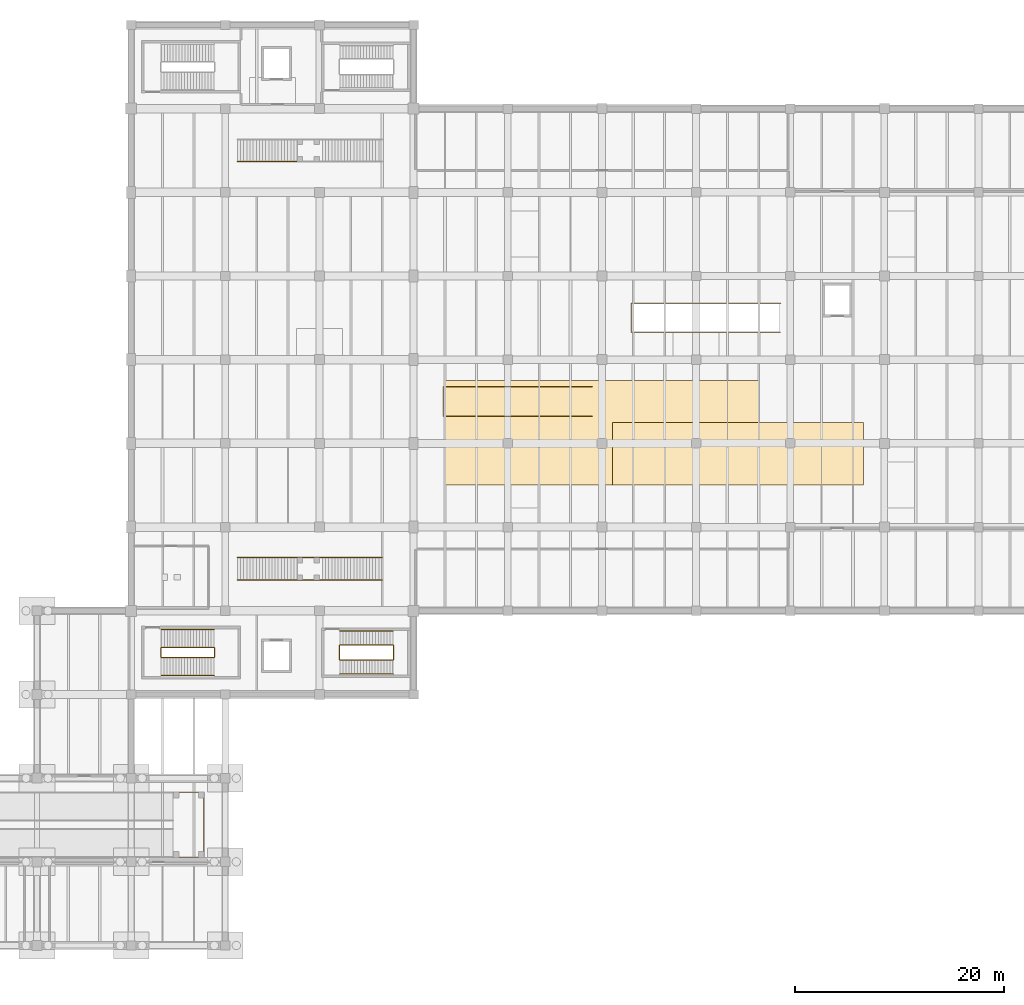
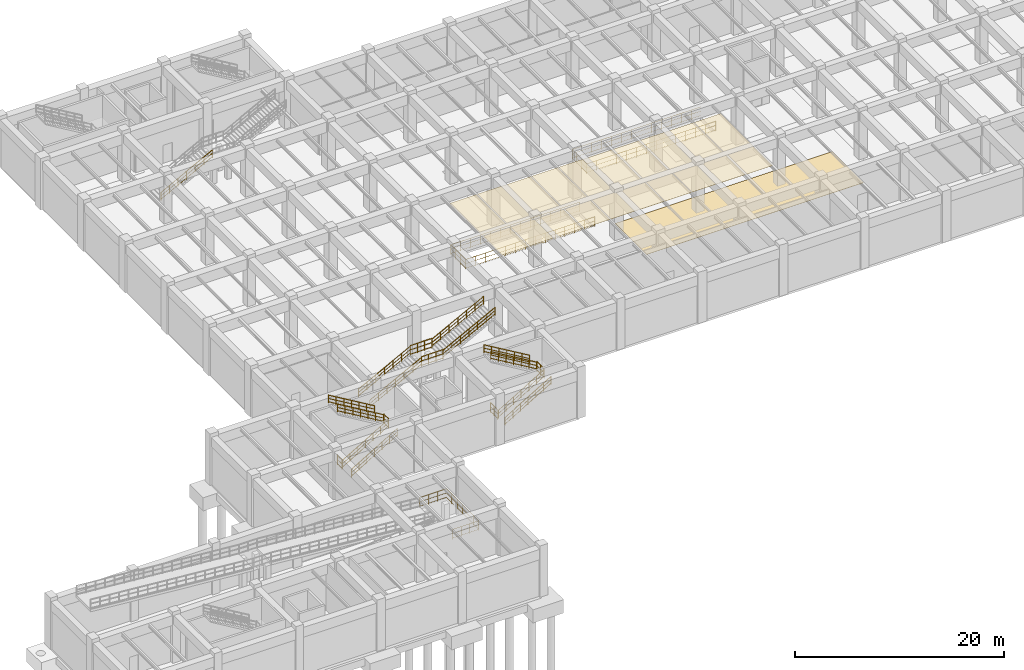
# One storey, part 16 of 20: 22 railings, 2 coverings.
"""IFC4 building model written with IfcOpenShell, lengths in metres."""

from ifc_helpers import new_model, si_unit, derived_unit, direction, frame, origin, origin_2d, place, context, subcontext, project, spatial, polyline, circle, outline, extrude, material, layer, layer_set, type_object, element, save


model = new_model("IFC4")

# Units and contexts
model_context = context("Model", 3, precision=1e-05, world=origin(), true_north=direction((0.0, 1.0)))
body_context = subcontext(model_context, "Body", "Model", "MODEL_VIEW")
ifc_project = project(units=[si_unit("LENGTHUNIT", "METRE"), si_unit("AREAUNIT", "SQUARE_METRE"), si_unit("VOLUMEUNIT", "CUBIC_METRE"), si_unit("PLANEANGLEUNIT", "RADIAN"), si_unit("MASSUNIT", "GRAM", prefix="KILO"), derived_unit("THERMALTRANSMITTANCEUNIT", [(si_unit("MASSUNIT", "GRAM", prefix="KILO"), 1), (si_unit("TIMEUNIT", "SECOND"), -3), (si_unit("THERMODYNAMICTEMPERATUREUNIT", "KELVIN"), -1)])], contexts=[model_context])

# Site, building, storey
site_placement = place(None, origin())
site = spatial("IfcSite", under=ifc_project, at=site_placement, CompositionType="ELEMENT")
building_placement = place(site_placement, origin())
building = spatial("IfcBuilding", under=site, at=building_placement, Name="Zhenchuan Archway Interchange", CompositionType="ELEMENT")
storey_placement = place(building_placement, frame((0.0, 0.0, -6.0)))
storey = spatial("IfcBuildingStorey", under=building, at=storey_placement, Name="B1", CompositionType="ELEMENT", Elevation=-6.0)

# Coverings
ifc_material_1 = material(Name="Anodised Aluminium", Category="aluminium")
ifc_layer_1 = layer(ifc_material_1, 0.02490234375)
ifc_layer_set_1 = layer_set([ifc_layer_1], Name="Anodised Aluminium")
covering_type_1 = type_object("IfcCoveringType", Name="COV_CLG_ACOUSTIC", PredefinedType="CEILING", material=ifc_layer_set_1)
covering_1_placement = place(storey_placement, frame((0.0, 0.0, 5.52490234375)))
element("IfcCovering", 1, at=covering_1_placement, inside=storey, type_object=covering_type_1, Name="Suspended acoustic ceiling grid 01 (B1)", PredefinedType="CEILING", context=body_context, shape_type="SweptSolid", body=[
    extrude(outline(polyline([(66.0, 44.0), (96.0, 44.0), (96.0, 54.0), (66.0, 54.0), (66.0, 44.0)])), origin(), (0.0, 0.0, 1.0), 0.025146484375),
])
ifc_material_2 = material(Name="Precast Terrazzo", Category="concrete")
ifc_layer_2 = layer(ifc_material_2, 0.02490234375)
ifc_layer_set_2 = layer_set([ifc_layer_2], Name="Precast Terrazzo")
covering_type_2 = type_object("IfcCoveringType", Name="COV_FLR_TERRAZZO", PredefinedType="FLOORING", material=ifc_layer_set_2)
covering_2_placement = place(storey_placement, origin())
element("IfcCovering", 2, at=covering_2_placement, inside=storey, type_object=covering_type_2, Name="Concourse floor finish panel 02 (B1)", PredefinedType="FLOORING", context=body_context, shape_type="SweptSolid", body=[
    extrude(outline(polyline([(82.0, 44.0), (106.0, 44.0), (106.0, 50.0), (82.0, 50.0), (82.0, 44.0)])), origin(), (0.0, 0.0, 1.0), 0.02490234375),
])

# Railings
ifc_material_3 = material(Name="Painted Galvanised Steel", Category="steel")
railing_type_1 = type_object("IfcRailingType", Name="RL_GUARD_1150", PredefinedType="GUARDRAIL", material=ifc_material_3)
for number, where, name in (
    (3, (43.97509765625, 27.56494140625, 3.0), "Stair ST-M1 half-landing slot guard (B1)"),
    (4, (38.8349609375, 27.56494140625, 0.0), "Stair ST-M1 floor well guard (B1)"),
):
    element("IfcRailing", number, at=place(storey_placement, frame(where)), inside=storey, type_object=railing_type_1, Name=name, PredefinedType="GUARDRAIL", context=body_context, shape_type="SweptSolid", body=[
        extrude(circle(Radius=0.02392578125, at=origin_2d()), frame((0.0, 0.0, 1.1259765625), z_axis=(0.0, 1.0, 0.0), x_axis=(-1.0, 0.0, 0.0)), (0.0, 0.0, 1.0), 0.8701171875),
        extrude(circle(Radius=0.01611328125, at=origin_2d()), frame((0.0, 0.0, 0.63232421875), z_axis=(0.0, 1.0, 0.0), x_axis=(-1.0, 0.0, 0.0)), (0.0, 0.0, 1.0), 0.8701171875),
        extrude(circle(Radius=0.01611328125, at=origin_2d()), frame((0.0, 0.0, 0.1201171875), z_axis=(0.0, 1.0, 0.0), x_axis=(-1.0, 0.0, 0.0)), (0.0, 0.0, 1.0), 0.8701171875),
        extrude(circle(Radius=0.02099609375, at=origin_2d()), origin(), (0.0, 0.0, 1.0), 1.1259765625),
        extrude(circle(Radius=0.02099609375, at=origin_2d()), frame((0.0, 0.8701171875, 0.0)), (0.0, 0.0, 1.0), 1.1259765625),
    ])
for number, where, name in (
    (5, (61.06494140625, 27.31494140625, 3.0), "Stair ST-M3 half-landing slot guard (B1)"),
    (6, (55.925048828125, 27.31494140625, 0.0), "Stair ST-M3 floor well guard (B1)"),
):
    element("IfcRailing", number, at=place(storey_placement, frame(where)), inside=storey, type_object=railing_type_1, Name=name, PredefinedType="GUARDRAIL", context=body_context, shape_type="SweptSolid", body=[
        extrude(circle(Radius=0.02392578125, at=origin_2d()), frame((0.0, 0.0, 1.1259765625), z_axis=(0.0, 1.0, 0.0), x_axis=(-1.0, 0.0, 0.0)), (0.0, 0.0, 1.0), 1.3701171875),
        extrude(circle(Radius=0.01611328125, at=origin_2d()), frame((0.0, 0.0, 0.63232421875), z_axis=(0.0, 1.0, 0.0), x_axis=(-1.0, 0.0, 0.0)), (0.0, 0.0, 1.0), 1.3701171875),
        extrude(circle(Radius=0.01611328125, at=origin_2d()), frame((0.0, 0.0, 0.1201171875), z_axis=(0.0, 1.0, 0.0), x_axis=(-1.0, 0.0, 0.0)), (0.0, 0.0, 1.0), 1.3701171875),
        extrude(circle(Radius=0.02099609375, at=origin_2d()), origin(), (0.0, 0.0, 1.0), 1.1259765625),
        extrude(circle(Radius=0.02099609375, at=origin_2d()), frame((0.0, 0.68505859375, 0.0)), (0.0, 0.0, 1.0), 1.1259765625),
        extrude(circle(Radius=0.02099609375, at=origin_2d()), frame((0.0, 1.3701171875, 0.0)), (0.0, 0.0, 1.0), 1.1259765625),
    ])
railing_1_placement = place(storey_placement, frame((80.080078125, 50.580078125, 0.0)))
element("IfcRailing", 7, at=railing_1_placement, inside=storey, type_object=railing_type_1, Name="Stair ST-P1 void perimeter guard (B1)", PredefinedType="GUARDRAIL", context=body_context, shape_type="SweptSolid", body=[
    extrude(circle(Radius=0.02392578125, at=origin_2d()), frame((0.0, 0.0, 1.1259765625), z_axis=(-1.0, 0.0, 0.0), x_axis=(0.0, -1.0, 0.0)), (0.0, 0.0, 1.0), 14.260009765625),
    extrude(circle(Radius=0.01611328125, at=origin_2d()), frame((0.0, 0.0, 0.63232421875), z_axis=(-1.0, 0.0, 0.0), x_axis=(0.0, -1.0, 0.0)), (0.0, 0.0, 1.0), 14.260009765625),
    extrude(circle(Radius=0.01611328125, at=origin_2d()), frame((0.0, 0.0, 0.1201171875), z_axis=(-1.0, 0.0, 0.0), x_axis=(0.0, -1.0, 0.0)), (0.0, 0.0, 1.0), 14.260009765625),
    extrude(circle(Radius=0.02392578125, at=origin_2d()), frame((-14.260009765625, 0.0, 1.1259765625), z_axis=(0.0, 1.0, 0.0), x_axis=(-1.0, 0.0, 0.0)), (0.0, 0.0, 1.0), 2.83984375),
    extrude(circle(Radius=0.01611328125, at=origin_2d()), frame((-14.260009765625, 0.0, 0.63232421875), z_axis=(0.0, 1.0, 0.0), x_axis=(-1.0, 0.0, 0.0)), (0.0, 0.0, 1.0), 2.83984375),
    extrude(circle(Radius=0.01611328125, at=origin_2d()), frame((-14.260009765625, 0.0, 0.1201171875), z_axis=(0.0, 1.0, 0.0), x_axis=(-1.0, 0.0, 0.0)), (0.0, 0.0, 1.0), 2.83984375),
    extrude(circle(Radius=0.02392578125, at=origin_2d()), frame((-14.260009765625, 2.83984375, 1.1259765625), z_axis=(1.0, 0.0, 0.0), x_axis=(0.0, 1.0, 0.0)), (0.0, 0.0, 1.0), 14.260009765625),
    extrude(circle(Radius=0.01611328125, at=origin_2d()), frame((-14.260009765625, 2.83984375, 0.63232421875), z_axis=(1.0, 0.0, 0.0), x_axis=(0.0, 1.0, 0.0)), (0.0, 0.0, 1.0), 14.260009765625),
    extrude(circle(Radius=0.01611328125, at=origin_2d()), frame((-14.260009765625, 2.83984375, 0.1201171875), z_axis=(1.0, 0.0, 0.0), x_axis=(0.0, 1.0, 0.0)), (0.0, 0.0, 1.0), 14.260009765625),
    extrude(circle(Radius=0.02099609375, at=origin_2d()), origin(), (0.0, 0.0, 1.0), 1.1259765625),
    extrude(circle(Radius=0.02099609375, at=origin_2d()), frame((-1.096923828125, 0.0, 0.0)), (0.0, 0.0, 1.0), 1.1259765625),
    extrude(circle(Radius=0.02099609375, at=origin_2d()), frame((-2.19384765625, 0.0, 0.0)), (0.0, 0.0, 1.0), 1.1259765625),
    extrude(circle(Radius=0.02099609375, at=origin_2d()), frame((-3.290771484375, 0.0, 0.0)), (0.0, 0.0, 1.0), 1.1259765625),
    extrude(circle(Radius=0.02099609375, at=origin_2d()), frame((-4.3876953125, 0.0, 0.0)), (0.0, 0.0, 1.0), 1.1259765625),
    extrude(circle(Radius=0.02099609375, at=origin_2d()), frame((-5.484619140625, 0.0, 0.0)), (0.0, 0.0, 1.0), 1.1259765625),
    extrude(circle(Radius=0.02099609375, at=origin_2d()), frame((-6.58154296875, 0.0, 0.0)), (0.0, 0.0, 1.0), 1.1259765625),
    extrude(circle(Radius=0.02099609375, at=origin_2d()), frame((-7.678466796875, 0.0, 0.0)), (0.0, 0.0, 1.0), 1.1259765625),
    extrude(circle(Radius=0.02099609375, at=origin_2d()), frame((-8.775390625, 0.0, 0.0)), (0.0, 0.0, 1.0), 1.1259765625),
    extrude(circle(Radius=0.02099609375, at=origin_2d()), frame((-9.872314453125, 0.0, 0.0)), (0.0, 0.0, 1.0), 1.1259765625),
    extrude(circle(Radius=0.02099609375, at=origin_2d()), frame((-10.96923828125, 0.0, 0.0)), (0.0, 0.0, 1.0), 1.1259765625),
    extrude(circle(Radius=0.02099609375, at=origin_2d()), frame((-12.066162109375, 0.0, 0.0)), (0.0, 0.0, 1.0), 1.1259765625),
    extrude(circle(Radius=0.02099609375, at=origin_2d()), frame((-13.1630859375, 0.0, 0.0)), (0.0, 0.0, 1.0), 1.1259765625),
    extrude(circle(Radius=0.02099609375, at=origin_2d()), frame((-14.260009765625, 0.0, 0.0)), (0.0, 0.0, 1.0), 1.1259765625),
    extrude(circle(Radius=0.02099609375, at=origin_2d()), frame((-14.260009765625, 0.946533203125, 0.0)), (0.0, 0.0, 1.0), 1.1259765625),
    extrude(circle(Radius=0.02099609375, at=origin_2d()), frame((-14.260009765625, 1.893310546875, 0.0)), (0.0, 0.0, 1.0), 1.1259765625),
    extrude(circle(Radius=0.02099609375, at=origin_2d()), frame((-14.260009765625, 2.83984375, 0.0)), (0.0, 0.0, 1.0), 1.1259765625),
    extrude(circle(Radius=0.02099609375, at=origin_2d()), frame((-13.1630859375, 2.83984375, 0.0)), (0.0, 0.0, 1.0), 1.1259765625),
    extrude(circle(Radius=0.02099609375, at=origin_2d()), frame((-12.066162109375, 2.83984375, 0.0)), (0.0, 0.0, 1.0), 1.1259765625),
    extrude(circle(Radius=0.02099609375, at=origin_2d()), frame((-10.96923828125, 2.83984375, 0.0)), (0.0, 0.0, 1.0), 1.1259765625),
    extrude(circle(Radius=0.02099609375, at=origin_2d()), frame((-9.872314453125, 2.83984375, 0.0)), (0.0, 0.0, 1.0), 1.1259765625),
    extrude(circle(Radius=0.02099609375, at=origin_2d()), frame((-8.775390625, 2.83984375, 0.0)), (0.0, 0.0, 1.0), 1.1259765625),
    extrude(circle(Radius=0.02099609375, at=origin_2d()), frame((-7.678466796875, 2.83984375, 0.0)), (0.0, 0.0, 1.0), 1.1259765625),
    extrude(circle(Radius=0.02099609375, at=origin_2d()), frame((-6.58154296875, 2.83984375, 0.0)), (0.0, 0.0, 1.0), 1.1259765625),
    extrude(circle(Radius=0.02099609375, at=origin_2d()), frame((-5.484619140625, 2.83984375, 0.0)), (0.0, 0.0, 1.0), 1.1259765625),
    extrude(circle(Radius=0.02099609375, at=origin_2d()), frame((-4.3876953125, 2.83984375, 0.0)), (0.0, 0.0, 1.0), 1.1259765625),
    extrude(circle(Radius=0.02099609375, at=origin_2d()), frame((-3.290771484375, 2.83984375, 0.0)), (0.0, 0.0, 1.0), 1.1259765625),
    extrude(circle(Radius=0.02099609375, at=origin_2d()), frame((-2.19384765625, 2.83984375, 0.0)), (0.0, 0.0, 1.0), 1.1259765625),
    extrude(circle(Radius=0.02099609375, at=origin_2d()), frame((-1.096923828125, 2.83984375, 0.0)), (0.0, 0.0, 1.0), 1.1259765625),
    extrude(circle(Radius=0.02099609375, at=origin_2d()), frame((0.0, 2.83984375, 0.0)), (0.0, 0.0, 1.0), 1.1259765625),
])
railing_2_placement = place(storey_placement, frame((98.080078125, 58.60498046875, 0.0)))
element("IfcRailing", 8, at=railing_2_placement, inside=storey, type_object=railing_type_1, Name="Stair ST-P2 void perimeter guard (B1)", PredefinedType="GUARDRAIL", context=body_context, shape_type="SweptSolid", body=[
    extrude(circle(Radius=0.02392578125, at=origin_2d()), frame((0.0, 0.0, 1.1259765625), z_axis=(-1.0, 0.0, 0.0), x_axis=(0.0, -1.0, 0.0)), (0.0, 0.0, 1.0), 14.260009765625),
    extrude(circle(Radius=0.01611328125, at=origin_2d()), frame((0.0, 0.0, 0.63232421875), z_axis=(-1.0, 0.0, 0.0), x_axis=(0.0, -1.0, 0.0)), (0.0, 0.0, 1.0), 14.260009765625),
    extrude(circle(Radius=0.01611328125, at=origin_2d()), frame((0.0, 0.0, 0.1201171875), z_axis=(-1.0, 0.0, 0.0), x_axis=(0.0, -1.0, 0.0)), (0.0, 0.0, 1.0), 14.260009765625),
    extrude(circle(Radius=0.02392578125, at=origin_2d()), frame((-14.260009765625, 0.0, 1.1259765625), z_axis=(0.0, 1.0, 0.0), x_axis=(-1.0, 0.0, 0.0)), (0.0, 0.0, 1.0), 2.7900390625),
    extrude(circle(Radius=0.01611328125, at=origin_2d()), frame((-14.260009765625, 0.0, 0.63232421875), z_axis=(0.0, 1.0, 0.0), x_axis=(-1.0, 0.0, 0.0)), (0.0, 0.0, 1.0), 2.7900390625),
    extrude(circle(Radius=0.01611328125, at=origin_2d()), frame((-14.260009765625, 0.0, 0.1201171875), z_axis=(0.0, 1.0, 0.0), x_axis=(-1.0, 0.0, 0.0)), (0.0, 0.0, 1.0), 2.7900390625),
    extrude(circle(Radius=0.02392578125, at=origin_2d()), frame((-14.260009765625, 2.7900390625, 1.1259765625), z_axis=(1.0, 0.0, 0.0), x_axis=(0.0, 1.0, 0.0)), (0.0, 0.0, 1.0), 14.260009765625),
    extrude(circle(Radius=0.01611328125, at=origin_2d()), frame((-14.260009765625, 2.7900390625, 0.63232421875), z_axis=(1.0, 0.0, 0.0), x_axis=(0.0, 1.0, 0.0)), (0.0, 0.0, 1.0), 14.260009765625),
    extrude(circle(Radius=0.01611328125, at=origin_2d()), frame((-14.260009765625, 2.7900390625, 0.1201171875), z_axis=(1.0, 0.0, 0.0), x_axis=(0.0, 1.0, 0.0)), (0.0, 0.0, 1.0), 14.260009765625),
    extrude(circle(Radius=0.02099609375, at=origin_2d()), origin(), (0.0, 0.0, 1.0), 1.1259765625),
    extrude(circle(Radius=0.02099609375, at=origin_2d()), frame((-1.096923828125, 0.0, 0.0)), (0.0, 0.0, 1.0), 1.1259765625),
    extrude(circle(Radius=0.02099609375, at=origin_2d()), frame((-2.19384765625, 0.0, 0.0)), (0.0, 0.0, 1.0), 1.1259765625),
    extrude(circle(Radius=0.02099609375, at=origin_2d()), frame((-3.290771484375, 0.0, 0.0)), (0.0, 0.0, 1.0), 1.1259765625),
    extrude(circle(Radius=0.02099609375, at=origin_2d()), frame((-4.3876953125, 0.0, 0.0)), (0.0, 0.0, 1.0), 1.1259765625),
    extrude(circle(Radius=0.02099609375, at=origin_2d()), frame((-5.484619140625, 0.0, 0.0)), (0.0, 0.0, 1.0), 1.1259765625),
    extrude(circle(Radius=0.02099609375, at=origin_2d()), frame((-6.58154296875, 0.0, 0.0)), (0.0, 0.0, 1.0), 1.1259765625),
    extrude(circle(Radius=0.02099609375, at=origin_2d()), frame((-7.678466796875, 0.0, 0.0)), (0.0, 0.0, 1.0), 1.1259765625),
    extrude(circle(Radius=0.02099609375, at=origin_2d()), frame((-8.775390625, 0.0, 0.0)), (0.0, 0.0, 1.0), 1.1259765625),
    extrude(circle(Radius=0.02099609375, at=origin_2d()), frame((-9.872314453125, 0.0, 0.0)), (0.0, 0.0, 1.0), 1.1259765625),
    extrude(circle(Radius=0.02099609375, at=origin_2d()), frame((-10.96923828125, 0.0, 0.0)), (0.0, 0.0, 1.0), 1.1259765625),
    extrude(circle(Radius=0.02099609375, at=origin_2d()), frame((-12.066162109375, 0.0, 0.0)), (0.0, 0.0, 1.0), 1.1259765625),
    extrude(circle(Radius=0.02099609375, at=origin_2d()), frame((-13.1630859375, 0.0, 0.0)), (0.0, 0.0, 1.0), 1.1259765625),
    extrude(circle(Radius=0.02099609375, at=origin_2d()), frame((-14.260009765625, 0.0, 0.0)), (0.0, 0.0, 1.0), 1.1259765625),
    extrude(circle(Radius=0.02099609375, at=origin_2d()), frame((-14.260009765625, 0.929931640625, 0.0)), (0.0, 0.0, 1.0), 1.1259765625),
    extrude(circle(Radius=0.02099609375, at=origin_2d()), frame((-14.260009765625, 1.860107421875, 0.0)), (0.0, 0.0, 1.0), 1.1259765625),
    extrude(circle(Radius=0.02099609375, at=origin_2d()), frame((-14.260009765625, 2.7900390625, 0.0)), (0.0, 0.0, 1.0), 1.1259765625),
    extrude(circle(Radius=0.02099609375, at=origin_2d()), frame((-13.1630859375, 2.7900390625, 0.0)), (0.0, 0.0, 1.0), 1.1259765625),
    extrude(circle(Radius=0.02099609375, at=origin_2d()), frame((-12.066162109375, 2.7900390625, 0.0)), (0.0, 0.0, 1.0), 1.1259765625),
    extrude(circle(Radius=0.02099609375, at=origin_2d()), frame((-10.96923828125, 2.7900390625, 0.0)), (0.0, 0.0, 1.0), 1.1259765625),
    extrude(circle(Radius=0.02099609375, at=origin_2d()), frame((-9.872314453125, 2.7900390625, 0.0)), (0.0, 0.0, 1.0), 1.1259765625),
    extrude(circle(Radius=0.02099609375, at=origin_2d()), frame((-8.775390625, 2.7900390625, 0.0)), (0.0, 0.0, 1.0), 1.1259765625),
    extrude(circle(Radius=0.02099609375, at=origin_2d()), frame((-7.678466796875, 2.7900390625, 0.0)), (0.0, 0.0, 1.0), 1.1259765625),
    extrude(circle(Radius=0.02099609375, at=origin_2d()), frame((-6.58154296875, 2.7900390625, 0.0)), (0.0, 0.0, 1.0), 1.1259765625),
    extrude(circle(Radius=0.02099609375, at=origin_2d()), frame((-5.484619140625, 2.7900390625, 0.0)), (0.0, 0.0, 1.0), 1.1259765625),
    extrude(circle(Radius=0.02099609375, at=origin_2d()), frame((-4.3876953125, 2.7900390625, 0.0)), (0.0, 0.0, 1.0), 1.1259765625),
    extrude(circle(Radius=0.02099609375, at=origin_2d()), frame((-3.290771484375, 2.7900390625, 0.0)), (0.0, 0.0, 1.0), 1.1259765625),
    extrude(circle(Radius=0.02099609375, at=origin_2d()), frame((-2.19384765625, 2.7900390625, 0.0)), (0.0, 0.0, 1.0), 1.1259765625),
    extrude(circle(Radius=0.02099609375, at=origin_2d()), frame((-1.096923828125, 2.7900390625, 0.0)), (0.0, 0.0, 1.0), 1.1259765625),
    extrude(circle(Radius=0.02099609375, at=origin_2d()), frame((0.0, 2.7900390625, 0.0)), (0.0, 0.0, 1.0), 1.1259765625),
])
for number, where, name in (
    (9, (51.8798828125, 34.925048828125, 3.0), "Stair ST-P3 landing guard 1"),
    (10, (51.8798828125, 37.074951171875, 3.0), "Stair ST-P3 landing guard 2"),
):
    element("IfcRailing", number, at=place(storey_placement, frame(where)), inside=storey, type_object=railing_type_1, Name=name, PredefinedType="GUARDRAIL", context=body_context, shape_type="SweptSolid", body=[
        extrude(circle(Radius=0.02392578125, at=origin_2d()), frame((0.0, 0.0, 1.1259765625), z_axis=(1.0, 0.0, 0.0), x_axis=(0.0, 1.0, 0.0)), (0.0, 0.0, 1.0), 2.400146484375),
        extrude(circle(Radius=0.01611328125, at=origin_2d()), frame((0.0, 0.0, 0.63232421875), z_axis=(1.0, 0.0, 0.0), x_axis=(0.0, 1.0, 0.0)), (0.0, 0.0, 1.0), 2.400146484375),
        extrude(circle(Radius=0.01611328125, at=origin_2d()), frame((0.0, 0.0, 0.1201171875), z_axis=(1.0, 0.0, 0.0), x_axis=(0.0, 1.0, 0.0)), (0.0, 0.0, 1.0), 2.400146484375),
        extrude(circle(Radius=0.02099609375, at=origin_2d()), origin(), (0.0, 0.0, 1.0), 1.1259765625),
        extrude(circle(Radius=0.02099609375, at=origin_2d()), frame((0.800048828125, 0.0, 0.0)), (0.0, 0.0, 1.0), 1.1259765625),
        extrude(circle(Radius=0.02099609375, at=origin_2d()), frame((1.60009765625, 0.0, 0.0)), (0.0, 0.0, 1.0), 1.1259765625),
        extrude(circle(Radius=0.02099609375, at=origin_2d()), frame((2.400146484375, 0.0, 0.0)), (0.0, 0.0, 1.0), 1.1259765625),
    ])
railing_3_placement = place(storey_placement, frame((40.0, 8.4599609375, 3.0)))
element("IfcRailing", 11, at=railing_3_placement, inside=storey, type_object=railing_type_1, Name="RMP-C1 U-turn landing perimeter guard", PredefinedType="GUARDRAIL", context=body_context, shape_type="SweptSolid", body=[
    extrude(circle(Radius=0.02392578125, at=origin_2d()), frame((0.0, 0.0, 1.1259765625), z_axis=(1.0, 0.0, 0.0), x_axis=(0.0, 1.0, 0.0)), (0.0, 0.0, 1.0), 2.93994140625),
    extrude(circle(Radius=0.01611328125, at=origin_2d()), frame((0.0, 0.0, 0.63232421875), z_axis=(1.0, 0.0, 0.0), x_axis=(0.0, 1.0, 0.0)), (0.0, 0.0, 1.0), 2.93994140625),
    extrude(circle(Radius=0.01611328125, at=origin_2d()), frame((0.0, 0.0, 0.1201171875), z_axis=(1.0, 0.0, 0.0), x_axis=(0.0, 1.0, 0.0)), (0.0, 0.0, 1.0), 2.93994140625),
    extrude(circle(Radius=0.02392578125, at=origin_2d()), frame((2.93994140625, 0.0, 1.1259765625), z_axis=(0.0, 1.0, 0.0), x_axis=(-1.0, 0.0, 0.0)), (0.0, 0.0, 1.0), 6.179931640625),
    extrude(circle(Radius=0.01611328125, at=origin_2d()), frame((2.93994140625, 0.0, 0.63232421875), z_axis=(0.0, 1.0, 0.0), x_axis=(-1.0, 0.0, 0.0)), (0.0, 0.0, 1.0), 6.179931640625),
    extrude(circle(Radius=0.01611328125, at=origin_2d()), frame((2.93994140625, 0.0, 0.1201171875), z_axis=(0.0, 1.0, 0.0), x_axis=(-1.0, 0.0, 0.0)), (0.0, 0.0, 1.0), 6.179931640625),
    extrude(circle(Radius=0.02392578125, at=origin_2d()), frame((2.93994140625, 6.179931640625, 1.1259765625), z_axis=(-1.0, 0.0, 0.0), x_axis=(0.0, -1.0, 0.0)), (0.0, 0.0, 1.0), 2.93994140625),
    extrude(circle(Radius=0.01611328125, at=origin_2d()), frame((2.93994140625, 6.179931640625, 0.63232421875), z_axis=(-1.0, 0.0, 0.0), x_axis=(0.0, -1.0, 0.0)), (0.0, 0.0, 1.0), 2.93994140625),
    extrude(circle(Radius=0.01611328125, at=origin_2d()), frame((2.93994140625, 6.179931640625, 0.1201171875), z_axis=(-1.0, 0.0, 0.0), x_axis=(0.0, -1.0, 0.0)), (0.0, 0.0, 1.0), 2.93994140625),
    extrude(circle(Radius=0.02099609375, at=origin_2d()), origin(), (0.0, 0.0, 1.0), 1.1259765625),
    extrude(circle(Radius=0.02099609375, at=origin_2d()), frame((0.97998046875, 0.0, 0.0)), (0.0, 0.0, 1.0), 1.1259765625),
    extrude(circle(Radius=0.02099609375, at=origin_2d()), frame((1.9599609375, 0.0, 0.0)), (0.0, 0.0, 1.0), 1.1259765625),
    extrude(circle(Radius=0.02099609375, at=origin_2d()), frame((2.93994140625, 0.0, 0.0)), (0.0, 0.0, 1.0), 1.1259765625),
    extrude(circle(Radius=0.02099609375, at=origin_2d()), frame((2.93994140625, 1.030029296875, 0.0)), (0.0, 0.0, 1.0), 1.1259765625),
    extrude(circle(Radius=0.02099609375, at=origin_2d()), frame((2.93994140625, 2.06005859375, 0.0)), (0.0, 0.0, 1.0), 1.1259765625),
    extrude(circle(Radius=0.02099609375, at=origin_2d()), frame((2.93994140625, 3.08984375, 0.0)), (0.0, 0.0, 1.0), 1.1259765625),
    extrude(circle(Radius=0.02099609375, at=origin_2d()), frame((2.93994140625, 4.119873046875, 0.0)), (0.0, 0.0, 1.0), 1.1259765625),
    extrude(circle(Radius=0.02099609375, at=origin_2d()), frame((2.93994140625, 5.14990234375, 0.0)), (0.0, 0.0, 1.0), 1.1259765625),
    extrude(circle(Radius=0.02099609375, at=origin_2d()), frame((2.93994140625, 6.179931640625, 0.0)), (0.0, 0.0, 1.0), 1.1259765625),
    extrude(circle(Radius=0.02099609375, at=origin_2d()), frame((1.9599609375, 6.179931640625, 0.0)), (0.0, 0.0, 1.0), 1.1259765625),
    extrude(circle(Radius=0.02099609375, at=origin_2d()), frame((0.97998046875, 6.179931640625, 0.0)), (0.0, 0.0, 1.0), 1.1259765625),
    extrude(circle(Radius=0.02099609375, at=origin_2d()), frame((0.0, 6.179931640625, 0.0)), (0.0, 0.0, 1.0), 1.1259765625),
])
ifc_material_4 = material(Name="Stainless Steel 304", Category="steel")
railing_type_2 = type_object("IfcRailingType", Name="RL_HAND_920", PredefinedType="HANDRAIL", material=ifc_material_4)
for number, where, name in (
    (12, (38.875, 25.804931640625, 0.157958984375), "Stair ST-M1 handrail 1 (B1)"),
    (13, (38.875, 27.52490234375, 0.157958984375), "Stair ST-M1 handrail 2 (B1)"),
):
    element("IfcRailing", number, at=place(storey_placement, frame(where)), inside=storey, type_object=railing_type_2, Name=name, PredefinedType="HANDRAIL", context=body_context, shape_type="SweptSolid", body=[
        extrude(circle(Radius=0.02392578125, at=origin_2d()), frame((0.0, 0.0, 0.89599609375), z_axis=(0.860183649657, 0.0, 0.509984400607), x_axis=(0.0, 1.0, 0.0)), (0.0, 0.0, 1.0), 5.882568359375),
        extrude(circle(Radius=0.01611328125, at=origin_2d()), frame((0.0, 0.0, 0.505859375), z_axis=(0.860183649657, 0.0, 0.509984400607), x_axis=(0.0, 1.0, 0.0)), (0.0, 0.0, 1.0), 5.882568359375),
        extrude(circle(Radius=0.01611328125, at=origin_2d()), frame((0.0, 0.0, 0.1201171875), z_axis=(0.860183649657, 0.0, 0.509984400607), x_axis=(0.0, 1.0, 0.0)), (0.0, 0.0, 1.0), 5.882568359375),
        extrude(circle(Radius=0.02099609375, at=origin_2d()), origin(), (0.0, 0.0, 1.0), 0.89599609375),
        extrude(circle(Radius=0.02099609375, at=origin_2d()), frame((0.84326171875, 0.0, 0.5)), (0.0, 0.0, 1.0), 0.89599609375),
        extrude(circle(Radius=0.02099609375, at=origin_2d()), frame((1.686767578125, 0.0, 1.0)), (0.0, 0.0, 1.0), 0.89599609375),
        extrude(circle(Radius=0.02099609375, at=origin_2d()), frame((2.530029296875, 0.0, 1.5)), (0.0, 0.0, 1.0), 0.89599609375),
        extrude(circle(Radius=0.02099609375, at=origin_2d()), frame((3.373291015625, 0.0, 2.0)), (0.0, 0.0, 1.0), 0.89599609375),
        extrude(circle(Radius=0.02099609375, at=origin_2d()), frame((4.216796875, 0.0, 2.5)), (0.0, 0.0, 1.0), 0.89599609375),
        extrude(circle(Radius=0.02099609375, at=origin_2d()), frame((5.06005859375, 0.0, 3.0)), (0.0, 0.0, 1.0), 0.89599609375),
    ])
for number, where, name in (
    (14, (43.93505859375, 28.47509765625, 3.157958984375), "Stair ST-M1 handrail 3 (B1)"),
    (15, (43.93505859375, 30.195068359375, 3.157958984375), "Stair ST-M1 handrail 4 (B1)"),
):
    element("IfcRailing", number, at=place(storey_placement, frame(where)), inside=storey, type_object=railing_type_2, Name=name, PredefinedType="HANDRAIL", context=body_context, shape_type="SweptSolid", body=[
        extrude(circle(Radius=0.02392578125, at=origin_2d()), frame((0.0, 0.0, 0.89599609375), z_axis=(-0.860183649657, 0.0, 0.509984400607), x_axis=(0.0, -1.0, 0.0)), (0.0, 0.0, 1.0), 5.882568359375),
        extrude(circle(Radius=0.01611328125, at=origin_2d()), frame((0.0, 0.0, 0.505859375), z_axis=(-0.860183649657, 0.0, 0.509984400607), x_axis=(0.0, -1.0, 0.0)), (0.0, 0.0, 1.0), 5.882568359375),
        extrude(circle(Radius=0.01611328125, at=origin_2d()), frame((0.0, 0.0, 0.1201171875), z_axis=(-0.860183649657, 0.0, 0.509984400607), x_axis=(0.0, -1.0, 0.0)), (0.0, 0.0, 1.0), 5.882568359375),
        extrude(circle(Radius=0.02099609375, at=origin_2d()), origin(), (0.0, 0.0, 1.0), 0.89599609375),
        extrude(circle(Radius=0.02099609375, at=origin_2d()), frame((-0.84326171875, 0.0, 0.5)), (0.0, 0.0, 1.0), 0.89599609375),
        extrude(circle(Radius=0.02099609375, at=origin_2d()), frame((-1.686767578125, 0.0, 1.0)), (0.0, 0.0, 1.0), 0.89599609375),
        extrude(circle(Radius=0.02099609375, at=origin_2d()), frame((-2.530029296875, 0.0, 1.5)), (0.0, 0.0, 1.0), 0.89599609375),
        extrude(circle(Radius=0.02099609375, at=origin_2d()), frame((-3.373291015625, 0.0, 2.0)), (0.0, 0.0, 1.0), 0.89599609375),
        extrude(circle(Radius=0.02099609375, at=origin_2d()), frame((-4.216796875, 0.0, 2.5)), (0.0, 0.0, 1.0), 0.89599609375),
        extrude(circle(Radius=0.02099609375, at=origin_2d()), frame((-5.06005859375, 0.0, 3.0)), (0.0, 0.0, 1.0), 0.89599609375),
    ])
for number, where, name in (
    (16, (55.965087890625, 25.955078125, 0.157958984375), "Stair ST-M3 handrail 1 (B1)"),
    (17, (55.965087890625, 27.27490234375, 0.157958984375), "Stair ST-M3 handrail 2 (B1)"),
):
    element("IfcRailing", number, at=place(storey_placement, frame(where)), inside=storey, type_object=railing_type_2, Name=name, PredefinedType="HANDRAIL", context=body_context, shape_type="SweptSolid", body=[
        extrude(circle(Radius=0.02392578125, at=origin_2d()), frame((0.0, 0.0, 0.89599609375), z_axis=(0.860172854904, 0.0, 0.51000260753), x_axis=(0.0, 1.0, 0.0)), (0.0, 0.0, 1.0), 5.88232421875),
        extrude(circle(Radius=0.01611328125, at=origin_2d()), frame((0.0, 0.0, 0.505859375), z_axis=(0.860172854904, 0.0, 0.51000260753), x_axis=(0.0, 1.0, 0.0)), (0.0, 0.0, 1.0), 5.88232421875),
        extrude(circle(Radius=0.01611328125, at=origin_2d()), frame((0.0, 0.0, 0.1201171875), z_axis=(0.860172854904, 0.0, 0.51000260753), x_axis=(0.0, 1.0, 0.0)), (0.0, 0.0, 1.0), 5.88232421875),
        extrude(circle(Radius=0.02099609375, at=origin_2d()), origin(), (0.0, 0.0, 1.0), 0.89599609375),
        extrude(circle(Radius=0.02099609375, at=origin_2d()), frame((0.84326171875, 0.0, 0.5)), (0.0, 0.0, 1.0), 0.89599609375),
        extrude(circle(Radius=0.02099609375, at=origin_2d()), frame((1.6865234375, 0.0, 1.0)), (0.0, 0.0, 1.0), 0.89599609375),
        extrude(circle(Radius=0.02099609375, at=origin_2d()), frame((2.52978515625, 0.0, 1.5)), (0.0, 0.0, 1.0), 0.89599609375),
        extrude(circle(Radius=0.02099609375, at=origin_2d()), frame((3.373291015625, 0.0, 2.0)), (0.0, 0.0, 1.0), 0.89599609375),
        extrude(circle(Radius=0.02099609375, at=origin_2d()), frame((4.216552734375, 0.0, 2.5)), (0.0, 0.0, 1.0), 0.89599609375),
        extrude(circle(Radius=0.02099609375, at=origin_2d()), frame((5.059814453125, 0.0, 3.0)), (0.0, 0.0, 1.0), 0.89599609375),
    ])
for number, where, name in (
    (18, (61.02490234375, 28.72509765625, 3.157958984375), "Stair ST-M3 handrail 3 (B1)"),
    (19, (61.02490234375, 30.044921875, 3.157958984375), "Stair ST-M3 handrail 4 (B1)"),
):
    element("IfcRailing", number, at=place(storey_placement, frame(where)), inside=storey, type_object=railing_type_2, Name=name, PredefinedType="HANDRAIL", context=body_context, shape_type="SweptSolid", body=[
        extrude(circle(Radius=0.02392578125, at=origin_2d()), frame((0.0, 0.0, 0.89599609375), z_axis=(-0.860172854904, 0.0, 0.51000260753), x_axis=(0.0, -1.0, 0.0)), (0.0, 0.0, 1.0), 5.88232421875),
        extrude(circle(Radius=0.01611328125, at=origin_2d()), frame((0.0, 0.0, 0.505859375), z_axis=(-0.860172854904, 0.0, 0.51000260753), x_axis=(0.0, -1.0, 0.0)), (0.0, 0.0, 1.0), 5.88232421875),
        extrude(circle(Radius=0.01611328125, at=origin_2d()), frame((0.0, 0.0, 0.1201171875), z_axis=(-0.860172854904, 0.0, 0.51000260753), x_axis=(0.0, -1.0, 0.0)), (0.0, 0.0, 1.0), 5.88232421875),
        extrude(circle(Radius=0.02099609375, at=origin_2d()), origin(), (0.0, 0.0, 1.0), 0.89599609375),
        extrude(circle(Radius=0.02099609375, at=origin_2d()), frame((-0.84326171875, 0.0, 0.5)), (0.0, 0.0, 1.0), 0.89599609375),
        extrude(circle(Radius=0.02099609375, at=origin_2d()), frame((-1.6865234375, 0.0, 1.0)), (0.0, 0.0, 1.0), 0.89599609375),
        extrude(circle(Radius=0.02099609375, at=origin_2d()), frame((-2.52978515625, 0.0, 1.5)), (0.0, 0.0, 1.0), 0.89599609375),
        extrude(circle(Radius=0.02099609375, at=origin_2d()), frame((-3.373291015625, 0.0, 2.0)), (0.0, 0.0, 1.0), 0.89599609375),
        extrude(circle(Radius=0.02099609375, at=origin_2d()), frame((-4.216552734375, 0.0, 2.5)), (0.0, 0.0, 1.0), 0.89599609375),
        extrude(circle(Radius=0.02099609375, at=origin_2d()), frame((-5.059814453125, 0.0, 3.0)), (0.0, 0.0, 1.0), 0.89599609375),
    ])
for number, where, name in (
    (20, (46.159912109375, 34.925048828125, 0.14990234375), "Stair ST-P3 lower flight handrail 1"),
    (21, (54.280029296875, 34.925048828125, 3.14990234375), "Stair ST-P3 upper flight handrail 1"),
    (22, (46.159912109375, 37.074951171875, 0.14990234375), "Stair ST-P3 lower flight handrail 2"),
    (23, (54.280029296875, 37.074951171875, 3.14990234375), "Stair ST-P3 upper flight handrail 2"),
    (24, (46.159912109375, 74.949951171875, 0.14990234375), "Stair ST-P4 lower flight handrail 1"),
):
    element("IfcRailing", number, at=place(storey_placement, frame(where)), inside=storey, type_object=railing_type_2, Name=name, PredefinedType="HANDRAIL", context=body_context, shape_type="SweptSolid", body=[
        extrude(circle(Radius=0.02392578125, at=origin_2d()), frame((0.0, 0.0, 0.89599609375), z_axis=(0.885588007981, 0.0, 0.464471613901), x_axis=(0.0, 1.0, 0.0)), (0.0, 0.0, 1.0), 6.458984375),
        extrude(circle(Radius=0.01611328125, at=origin_2d()), frame((0.0, 0.0, 0.505859375), z_axis=(0.885588007981, 0.0, 0.464471613901), x_axis=(0.0, 1.0, 0.0)), (0.0, 0.0, 1.0), 6.458984375),
        extrude(circle(Radius=0.01611328125, at=origin_2d()), frame((0.0, 0.0, 0.1201171875), z_axis=(0.885588007981, 0.0, 0.464471613901), x_axis=(0.0, 1.0, 0.0)), (0.0, 0.0, 1.0), 6.458984375),
        extrude(circle(Radius=0.02099609375, at=origin_2d()), origin(), (0.0, 0.0, 1.0), 0.89599609375),
        extrude(circle(Radius=0.02099609375, at=origin_2d()), frame((0.953369140625, 0.0, 0.5)), (0.0, 0.0, 1.0), 0.89599609375),
        extrude(circle(Radius=0.02099609375, at=origin_2d()), frame((1.90673828125, 0.0, 1.0)), (0.0, 0.0, 1.0), 0.89599609375),
        extrude(circle(Radius=0.02099609375, at=origin_2d()), frame((2.85986328125, 0.0, 1.5)), (0.0, 0.0, 1.0), 0.89599609375),
        extrude(circle(Radius=0.02099609375, at=origin_2d()), frame((3.813232421875, 0.0, 2.0)), (0.0, 0.0, 1.0), 0.89599609375),
        extrude(circle(Radius=0.02099609375, at=origin_2d()), frame((4.7666015625, 0.0, 2.5)), (0.0, 0.0, 1.0), 0.89599609375),
        extrude(circle(Radius=0.02099609375, at=origin_2d()), frame((5.719970703125, 0.0, 3.0)), (0.0, 0.0, 1.0), 0.89599609375),
    ])

save(model, "model.ifc")
